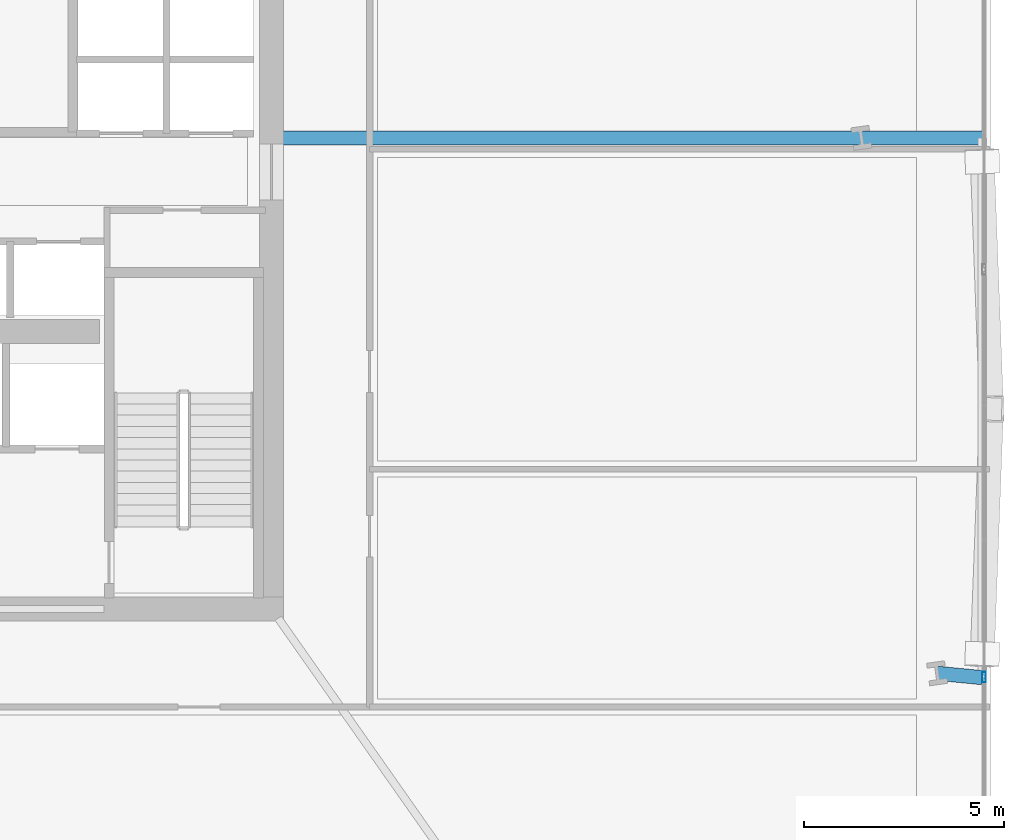
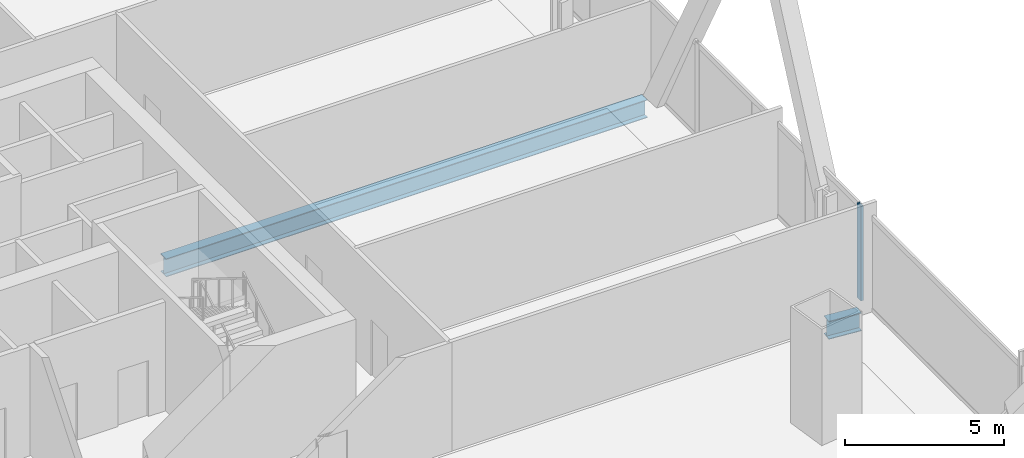
# One storey, part 10 of 29: 2 beams, 1 member, 1 element without a shape of its own.
"""IFC4 building model written with IfcOpenShell, lengths in metres."""

from ifc_helpers import new_model, si_unit, direction, frame, origin, origin_2d, place, context, subcontext, project, spatial, hollow_rectangle, i_section, extrude, material, material_profile, profile_set, type_object, element, aggregate, save


model = new_model("IFC4")

# Units and contexts
model_context = context("Model", 3, precision=1e-05, world=origin(), true_north=direction((0.0, 1.0)))
body_context = subcontext(model_context, "Body", "Model", "MODEL_VIEW")
ifc_project = project(units=[si_unit("LENGTHUNIT", "METRE"), si_unit("AREAUNIT", "SQUARE_METRE"), si_unit("VOLUMEUNIT", "CUBIC_METRE"), si_unit("PLANEANGLEUNIT", "RADIAN"), si_unit("MASSUNIT", "GRAM", prefix="KILO")], contexts=[model_context])

# Site, building, storey
site_placement = place(None, origin())
site = spatial("IfcSite", under=ifc_project, at=site_placement, CompositionType="ELEMENT")
building_placement = place(site_placement, origin())
building = spatial("IfcBuilding", under=site, at=building_placement, Name="Haldenkirk Collegiate Tower", CompositionType="ELEMENT")
storey_placement = place(building_placement, frame((0.0, 0.0, 28.199951171875)))
storey = spatial("IfcBuildingStorey", under=building, at=storey_placement, Name="L05", CompositionType="ELEMENT", Elevation=28.199951171875)

# Beams
ifc_material_1 = material(Name="Steel ASTM A992 Grade 50", Category="steel")
ifc_material_profile_1 = material_profile(ifc_material_1, i_section(OverallWidth=0.35498046875, OverallDepth=0.696044921875, WebThickness=0.015380859375, FlangeThickness=0.02490234375, at=origin_2d()), Name="W27X146")
ifc_profile_set_1 = profile_set([ifc_material_profile_1], Name="Steel ASTM A992 Grade 50")
beam_type = type_object("IfcBeamType", Name="BM-GIRDER-W27X146", PredefinedType="BEAM", material=ifc_profile_set_1)
beam_1_placement = place(storey_placement, frame((61.648193359375, 16.39306640625, -0.758056640625), z_axis=(0.995363284695, -0.096186961075, 0.0), x_axis=(0.096186961075, 0.995363284695, 0.0)))
element("IfcBeam", 1, at=beam_1_placement, inside=storey, type_object=beam_type, Name="L05 facade lookout girder 08", PredefinedType="BEAM", context=body_context, shape_type="SweptSolid", body=[
    extrude(i_section(OverallWidth=0.35498046875, OverallDepth=0.696044921875, WebThickness=0.015380859375, FlangeThickness=0.02490234375, at=origin_2d()), origin(), (0.0, 0.0, 1.0), 1.13720703125),
])
beam_2_placement = place(storey_placement, frame((62.780029296875, 29.788818359375, -0.758056640625), z_axis=(-1.0, 0.0, 0.0), x_axis=(0.0, -1.0, 0.0)))
element("IfcBeam", 2, at=beam_2_placement, inside=storey, type_object=beam_type, Name="L05 primary floor girder 09", PredefinedType="BEAM", context=body_context, shape_type="SweptSolid", body=[
    extrude(i_section(OverallWidth=0.35498046875, OverallDepth=0.696044921875, WebThickness=0.015380859375, FlangeThickness=0.02490234375, at=origin_2d()), origin(), (0.0, 0.0, 1.0), 17.5),
])

# Curtain wall, member
ifc_material_2 = material(Name="Anodised architectural bronze aluminium", Category="aluminium")
curtain_wall_type = type_object("IfcCurtainWallType", Name="CW-SYS4-SKYGARDEN", PredefinedType="USERDEFINED", material=ifc_material_2)
curtain_wall_placement = place(storey_placement, origin())
curtain_wall = element("IfcCurtainWall", 3, at=curtain_wall_placement, inside=storey, type_object=curtain_wall_type, Name="L05 Sky-garden tall bronze curtain wall", ObjectType="UNITISED CURTAIN WALL", PredefinedType="USERDEFINED")
ifc_material_profile_2 = material_profile(ifc_material_2, hollow_rectangle(XDim=0.090087890625, YDim=0.260009765625, WallThickness=0.0048828125, at=origin_2d()), Name="CW-MUL-04")
ifc_profile_set_2 = profile_set([ifc_material_profile_2], Name="Anodised architectural bronze aluminium")
member_type = type_object("IfcMemberType", Name="CW-MUL-04", PredefinedType="MULLION", material=ifc_profile_set_2)
member_placement = place(storey_placement, frame((62.820068359375, 16.300048828125, 0.0), z_axis=(0.0, 0.0, 1.0), x_axis=(1.0, 0.0, 0.0)))
member = element("IfcMember", 4, at=member_placement, type_object=member_type, Name="CW-04 mullion 4", PredefinedType="MULLION", context=body_context, shape_type="SweptSolid", body=[
    extrude(hollow_rectangle(XDim=0.090087890625, YDim=0.260009765625, WallThickness=0.0048828125, at=origin_2d()), origin(), (0.0, 0.0, 1.0), 3.64111328125),
])
aggregate(curtain_wall, [member])

save(model, "model.ifc")
